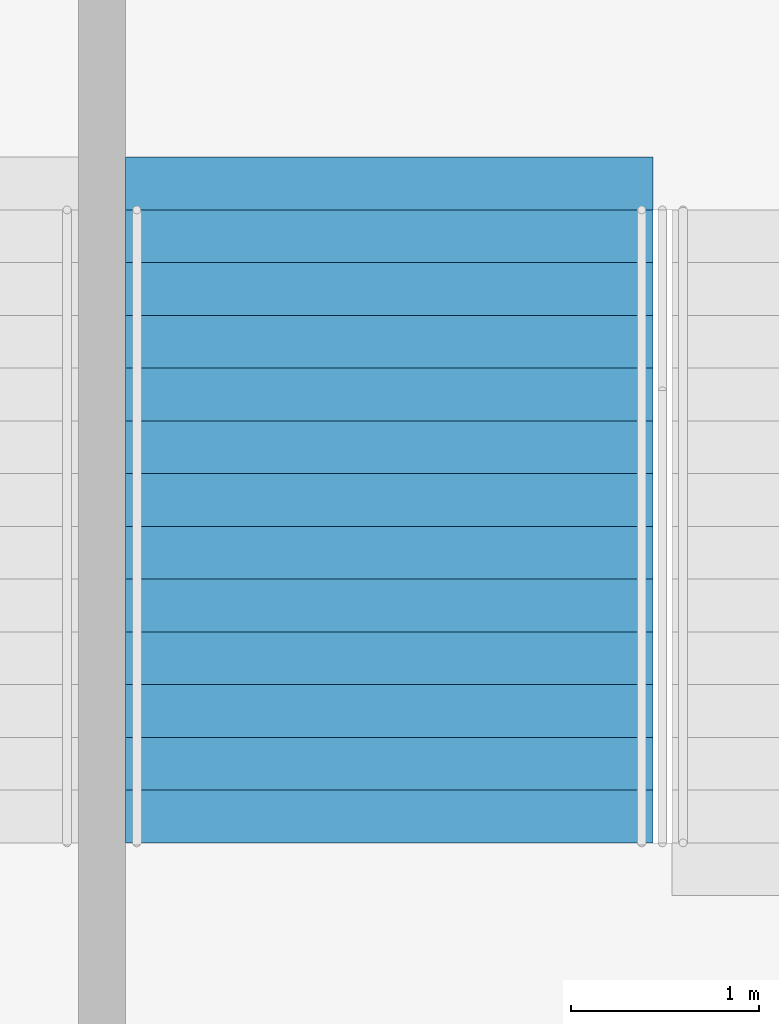
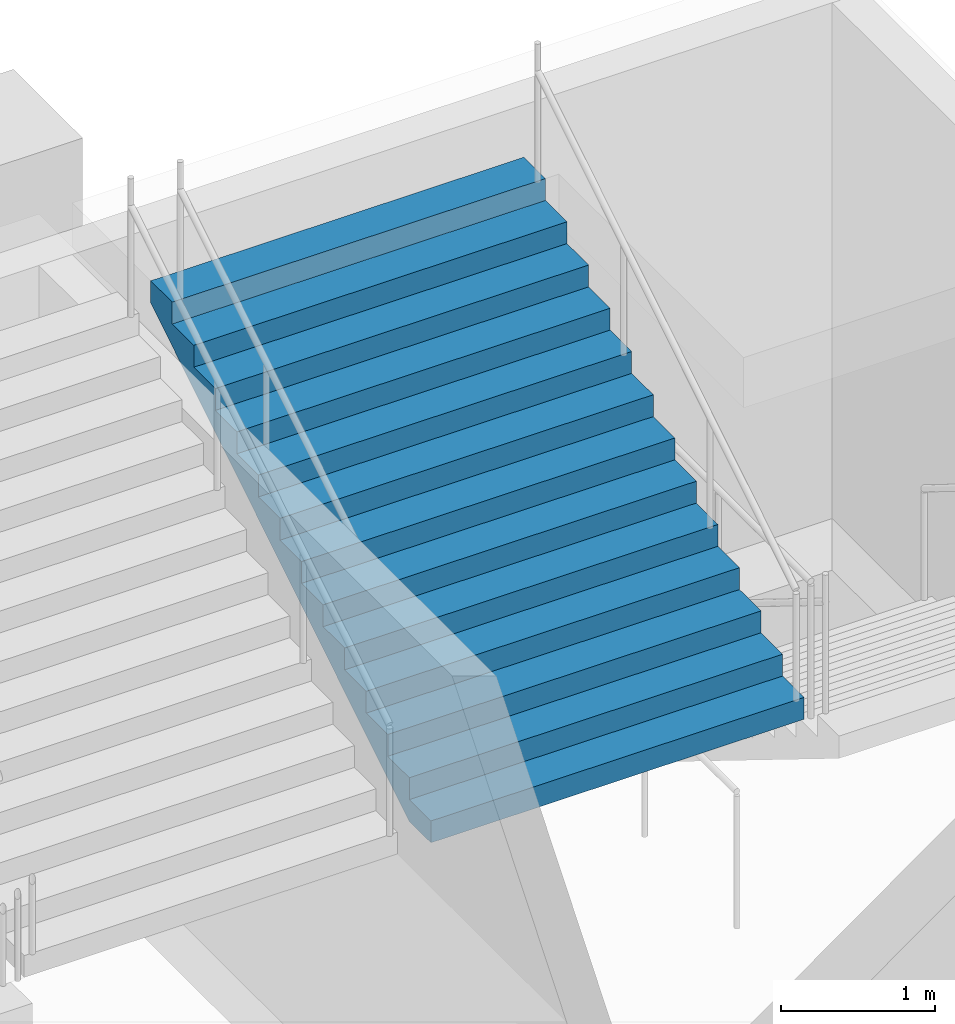
# One storey, part 96 of 177: 1 stair flight, 1 element without a shape of its own.
"""IFC4 building model written with IfcOpenShell, lengths in metres."""

from ifc_helpers import new_model, si_unit, direction, frame, origin, place, context, subcontext, project, spatial, faceted_brep, material, type_object, element, aggregate, save


model = new_model("IFC4")

# Units and contexts
model_context = context("Model", 3, precision=1e-05, world=origin(), true_north=direction((0.0, 1.0)))
body_context = subcontext(model_context, "Body", "Model", "MODEL_VIEW")
ifc_project = project(units=[si_unit("LENGTHUNIT", "METRE"), si_unit("AREAUNIT", "SQUARE_METRE"), si_unit("VOLUMEUNIT", "CUBIC_METRE"), si_unit("PLANEANGLEUNIT", "RADIAN"), si_unit("MASSUNIT", "GRAM", prefix="KILO")], contexts=[model_context])

# Site, building, storey
site_placement = place(None, origin())
site = spatial("IfcSite", under=ifc_project, at=site_placement, CompositionType="ELEMENT")
building_placement = place(site_placement, origin())
building = spatial("IfcBuilding", under=site, at=building_placement, Name="Ogive Plaza Stadium", CompositionType="ELEMENT")
storey_placement = place(building_placement, frame((0.0, 0.0, 18.0)))
storey = spatial("IfcBuildingStorey", under=building, at=storey_placement, Name="L04", CompositionType="ELEMENT", Elevation=18.0)

# Stair, stair flight
ifc_material_1 = material(Name="Concrete C40/50", Category="concrete")
stair_type = type_object("IfcStairType", Name="Exit stair", PredefinedType="STRAIGHT_RUN_STAIR", material=ifc_material_1)
stair_placement = place(storey_placement, origin())
stair = element("IfcStair", 1, at=stair_placement, inside=storey, type_object=stair_type, Name="Exit stair ST16B L04 to L05", PredefinedType="STRAIGHT_RUN_STAIR")
ifc_material_2 = material(Name="Concrete C40/50", Category="concrete")
stair_flight_type = type_object("IfcStairFlightType", Name="Exit stair flight", PredefinedType="STRAIGHT", material=ifc_material_2)
stair_flight_placement = place(storey_placement, frame((-18.875, -98.2099609375, 2.25), z_axis=(0.0, 0.0, 1.0), x_axis=(0.0, 1.0, 0.0)))
stair_flight = element("IfcStairFlight", 2, at=stair_flight_placement, type_object=stair_flight_type, Name="ST16B flight 2", NumberOfRisers=13, NumberOfTreads=12, PredefinedType="STRAIGHT", RiserHeight=0.173076923, TreadLength=0.28, context=body_context, shape_type="Brep", body=[
    faceted_brep([(0.28515625, -1.39990234375, 0.0), (3.639892578125, -1.39990234375, 2.07373046875), (3.639892578125, -1.39990234375, 2.25), (3.360107421875, -1.39990234375, 2.25), (3.360107421875, -1.39990234375, 2.076904296875), (3.080078125, -1.39990234375, 2.076904296875), (3.080078125, -1.39990234375, 1.90380859375), (2.800048828125, -1.39990234375, 1.90380859375), (2.800048828125, -1.39990234375, 1.730712890625), (2.52001953125, -1.39990234375, 1.730712890625), (2.52001953125, -1.39990234375, 1.5576171875), (2.239990234375, -1.39990234375, 1.5576171875), (2.239990234375, -1.39990234375, 1.384521484375), (1.9599609375, -1.39990234375, 1.384521484375), (1.9599609375, -1.39990234375, 1.21142578125), (1.679931640625, -1.39990234375, 1.21142578125), (1.679931640625, -1.39990234375, 1.03857421875), (1.39990234375, -1.39990234375, 1.03857421875), (1.39990234375, -1.39990234375, 0.865478515625), (1.1201171875, -1.39990234375, 0.865478515625), (1.1201171875, -1.39990234375, 0.6923828125), (0.840087890625, -1.39990234375, 0.6923828125), (0.840087890625, -1.39990234375, 0.519287109375), (0.56005859375, -1.39990234375, 0.519287109375), (0.56005859375, -1.39990234375, 0.34619140625), (0.280029296875, -1.39990234375, 0.34619140625), (0.280029296875, -1.39990234375, 0.173095703125), (0.0, -1.39990234375, 0.173095703125), (0.0, -1.39990234375, 0.0), (0.0, 1.39990234375, 0.0), (0.0, 1.39990234375, 0.173095703125), (0.280029296875, 1.39990234375, 0.173095703125), (0.280029296875, 1.39990234375, 0.34619140625), (0.56005859375, 1.39990234375, 0.34619140625), (0.56005859375, 1.39990234375, 0.519287109375), (0.840087890625, 1.39990234375, 0.519287109375), (0.840087890625, 1.39990234375, 0.6923828125), (1.1201171875, 1.39990234375, 0.6923828125), (1.1201171875, 1.39990234375, 0.865478515625), (1.39990234375, 1.39990234375, 0.865478515625), (1.39990234375, 1.39990234375, 1.03857421875), (1.679931640625, 1.39990234375, 1.03857421875), (1.679931640625, 1.39990234375, 1.21142578125), (1.9599609375, 1.39990234375, 1.21142578125), (1.9599609375, 1.39990234375, 1.384521484375), (2.239990234375, 1.39990234375, 1.384521484375), (2.239990234375, 1.39990234375, 1.5576171875), (2.52001953125, 1.39990234375, 1.5576171875), (2.52001953125, 1.39990234375, 1.730712890625), (2.800048828125, 1.39990234375, 1.730712890625), (2.800048828125, 1.39990234375, 1.90380859375), (3.080078125, 1.39990234375, 1.90380859375), (3.080078125, 1.39990234375, 2.076904296875), (3.360107421875, 1.39990234375, 2.076904296875), (3.360107421875, 1.39990234375, 2.25), (3.639892578125, 1.39990234375, 2.25), (3.639892578125, 1.39990234375, 2.07373046875), (0.28515625, 1.39990234375, 0.0), (0.28515625, -1.0888671875, 0.0), (3.639892578125, -1.0888671875, 2.07373046875), (0.28515625, -0.77783203125, 0.0), (3.639892578125, -0.77783203125, 2.07373046875), (0.28515625, -0.466796875, 0.0), (3.639892578125, -0.466796875, 2.07373046875), (0.28515625, -0.155517578125, 0.0), (3.639892578125, -0.155517578125, 2.07373046875), (0.28515625, 0.155517578125, 0.0), (3.639892578125, 0.155517578125, 2.07373046875), (0.28515625, 0.466796875, 0.0), (3.639892578125, 0.466796875, 2.07373046875), (0.28515625, 0.77783203125, 0.0), (3.639892578125, 0.77783203125, 2.07373046875), (0.28515625, 1.0888671875, 0.0), (3.639892578125, 1.0888671875, 2.07373046875), (3.639892578125, -1.0888671875, 2.25), (3.639892578125, -0.77783203125, 2.25), (3.639892578125, -0.466796875, 2.25), (3.639892578125, -0.155517578125, 2.25), (3.639892578125, 0.155517578125, 2.25), (3.639892578125, 0.466796875, 2.25), (3.639892578125, 0.77783203125, 2.25), (3.639892578125, 1.0888671875, 2.25), (3.360107421875, -1.0888671875, 2.25), (3.360107421875, -0.77783203125, 2.25), (3.360107421875, -0.466796875, 2.25), (3.360107421875, -0.155517578125, 2.25), (3.360107421875, 0.155517578125, 2.25), (3.360107421875, 0.466796875, 2.25), (3.360107421875, 0.77783203125, 2.25), (3.360107421875, 1.0888671875, 2.25), (3.360107421875, -1.0888671875, 2.076904296875), (3.360107421875, -0.77783203125, 2.076904296875), (3.360107421875, -0.466796875, 2.076904296875), (3.360107421875, -0.155517578125, 2.076904296875), (3.360107421875, 0.155517578125, 2.076904296875), (3.360107421875, 0.466796875, 2.076904296875), (3.360107421875, 0.77783203125, 2.076904296875), (3.360107421875, 1.0888671875, 2.076904296875), (3.080078125, -1.0888671875, 2.076904296875), (3.080078125, -0.77783203125, 2.076904296875), (3.080078125, -0.466796875, 2.076904296875), (3.080078125, -0.155517578125, 2.076904296875), (3.080078125, 0.155517578125, 2.076904296875), (3.080078125, 0.466796875, 2.076904296875), (3.080078125, 0.77783203125, 2.076904296875), (3.080078125, 1.0888671875, 2.076904296875), (3.080078125, -1.0888671875, 1.90380859375), (3.080078125, -0.77783203125, 1.90380859375), (3.080078125, -0.466796875, 1.90380859375), (3.080078125, -0.155517578125, 1.90380859375), (3.080078125, 0.155517578125, 1.90380859375), (3.080078125, 0.466796875, 1.90380859375), (3.080078125, 0.77783203125, 1.90380859375), (3.080078125, 1.0888671875, 1.90380859375), (2.800048828125, -1.0888671875, 1.90380859375), (2.800048828125, -0.77783203125, 1.90380859375), (2.800048828125, -0.466796875, 1.90380859375), (2.800048828125, -0.155517578125, 1.90380859375), (2.800048828125, 0.155517578125, 1.90380859375), (2.800048828125, 0.466796875, 1.90380859375), (2.800048828125, 0.77783203125, 1.90380859375), (2.800048828125, 1.0888671875, 1.90380859375), (2.800048828125, -1.0888671875, 1.730712890625), (2.800048828125, -0.77783203125, 1.730712890625), (2.800048828125, -0.466796875, 1.730712890625), (2.800048828125, -0.155517578125, 1.730712890625), (2.800048828125, 0.155517578125, 1.730712890625), (2.800048828125, 0.466796875, 1.730712890625), (2.800048828125, 0.77783203125, 1.730712890625), (2.800048828125, 1.0888671875, 1.730712890625), (2.52001953125, -1.0888671875, 1.730712890625), (2.52001953125, -0.77783203125, 1.730712890625), (2.52001953125, -0.466796875, 1.730712890625), (2.52001953125, -0.155517578125, 1.730712890625), (2.52001953125, 0.155517578125, 1.730712890625), (2.52001953125, 0.466796875, 1.730712890625), (2.52001953125, 0.77783203125, 1.730712890625), (2.52001953125, 1.0888671875, 1.730712890625), (2.52001953125, -1.0888671875, 1.5576171875), (2.52001953125, -0.77783203125, 1.5576171875), (2.52001953125, -0.466796875, 1.5576171875), (2.52001953125, -0.155517578125, 1.5576171875), (2.52001953125, 0.155517578125, 1.5576171875), (2.52001953125, 0.466796875, 1.5576171875), (2.52001953125, 0.77783203125, 1.5576171875), (2.52001953125, 1.0888671875, 1.5576171875), (2.239990234375, -1.0888671875, 1.5576171875), (2.239990234375, -0.77783203125, 1.5576171875), (2.239990234375, -0.466796875, 1.5576171875), (2.239990234375, -0.155517578125, 1.5576171875), (2.239990234375, 0.155517578125, 1.5576171875), (2.239990234375, 0.466796875, 1.5576171875), (2.239990234375, 0.77783203125, 1.5576171875), (2.239990234375, 1.0888671875, 1.5576171875), (2.239990234375, -1.0888671875, 1.384521484375), (2.239990234375, -0.77783203125, 1.384521484375), (2.239990234375, -0.466796875, 1.384521484375), (2.239990234375, -0.155517578125, 1.384521484375), (2.239990234375, 0.155517578125, 1.384521484375), (2.239990234375, 0.466796875, 1.384521484375), (2.239990234375, 0.77783203125, 1.384521484375), (2.239990234375, 1.0888671875, 1.384521484375), (1.9599609375, -1.0888671875, 1.384521484375), (1.9599609375, -0.77783203125, 1.384521484375), (1.9599609375, -0.466796875, 1.384521484375), (1.9599609375, -0.155517578125, 1.384521484375), (1.9599609375, 0.155517578125, 1.384521484375), (1.9599609375, 0.466796875, 1.384521484375), (1.9599609375, 0.77783203125, 1.384521484375), (1.9599609375, 1.0888671875, 1.384521484375), (1.9599609375, -1.0888671875, 1.21142578125), (1.9599609375, -0.77783203125, 1.21142578125), (1.9599609375, -0.466796875, 1.21142578125), (1.9599609375, -0.155517578125, 1.21142578125), (1.9599609375, 0.155517578125, 1.21142578125), (1.9599609375, 0.466796875, 1.21142578125), (1.9599609375, 0.77783203125, 1.21142578125), (1.9599609375, 1.0888671875, 1.21142578125), (1.679931640625, -1.0888671875, 1.21142578125), (1.679931640625, -0.77783203125, 1.21142578125), (1.679931640625, -0.466796875, 1.21142578125), (1.679931640625, -0.155517578125, 1.21142578125), (1.679931640625, 0.155517578125, 1.21142578125), (1.679931640625, 0.466796875, 1.21142578125), (1.679931640625, 0.77783203125, 1.21142578125), (1.679931640625, 1.0888671875, 1.21142578125), (1.679931640625, -1.0888671875, 1.03857421875), (1.679931640625, -0.77783203125, 1.03857421875), (1.679931640625, -0.466796875, 1.03857421875), (1.679931640625, -0.155517578125, 1.03857421875), (1.679931640625, 0.155517578125, 1.03857421875), (1.679931640625, 0.466796875, 1.03857421875), (1.679931640625, 0.77783203125, 1.03857421875), (1.679931640625, 1.0888671875, 1.03857421875), (1.39990234375, -1.0888671875, 1.03857421875), (1.39990234375, -0.77783203125, 1.03857421875), (1.39990234375, -0.466796875, 1.03857421875), (1.39990234375, -0.155517578125, 1.03857421875), (1.39990234375, 0.155517578125, 1.03857421875), (1.39990234375, 0.466796875, 1.03857421875), (1.39990234375, 0.77783203125, 1.03857421875), (1.39990234375, 1.0888671875, 1.03857421875), (1.39990234375, -1.0888671875, 0.865478515625), (1.39990234375, -0.77783203125, 0.865478515625), (1.39990234375, -0.466796875, 0.865478515625), (1.39990234375, -0.155517578125, 0.865478515625), (1.39990234375, 0.155517578125, 0.865478515625), (1.39990234375, 0.466796875, 0.865478515625), (1.39990234375, 0.77783203125, 0.865478515625), (1.39990234375, 1.0888671875, 0.865478515625), (1.1201171875, -1.0888671875, 0.865478515625), (1.1201171875, -0.77783203125, 0.865478515625), (1.1201171875, -0.466796875, 0.865478515625), (1.1201171875, -0.155517578125, 0.865478515625), (1.1201171875, 0.155517578125, 0.865478515625), (1.1201171875, 0.466796875, 0.865478515625), (1.1201171875, 0.77783203125, 0.865478515625), (1.1201171875, 1.0888671875, 0.865478515625), (1.1201171875, -1.0888671875, 0.6923828125), (1.1201171875, -0.77783203125, 0.6923828125), (1.1201171875, -0.466796875, 0.6923828125), (1.1201171875, -0.155517578125, 0.6923828125), (1.1201171875, 0.155517578125, 0.6923828125), (1.1201171875, 0.466796875, 0.6923828125), (1.1201171875, 0.77783203125, 0.6923828125), (1.1201171875, 1.0888671875, 0.6923828125), (0.840087890625, -1.0888671875, 0.6923828125), (0.840087890625, -0.77783203125, 0.6923828125), (0.840087890625, -0.466796875, 0.6923828125), (0.840087890625, -0.155517578125, 0.6923828125), (0.840087890625, 0.155517578125, 0.6923828125), (0.840087890625, 0.466796875, 0.6923828125), (0.840087890625, 0.77783203125, 0.6923828125), (0.840087890625, 1.0888671875, 0.6923828125), (0.840087890625, -1.0888671875, 0.519287109375), (0.840087890625, -0.77783203125, 0.519287109375), (0.840087890625, -0.466796875, 0.519287109375), (0.840087890625, -0.155517578125, 0.519287109375), (0.840087890625, 0.155517578125, 0.519287109375), (0.840087890625, 0.466796875, 0.519287109375), (0.840087890625, 0.77783203125, 0.519287109375), (0.840087890625, 1.0888671875, 0.519287109375), (0.56005859375, -1.0888671875, 0.519287109375), (0.56005859375, -0.77783203125, 0.519287109375), (0.56005859375, -0.466796875, 0.519287109375), (0.56005859375, -0.155517578125, 0.519287109375), (0.56005859375, 0.155517578125, 0.519287109375), (0.56005859375, 0.466796875, 0.519287109375), (0.56005859375, 0.77783203125, 0.519287109375), (0.56005859375, 1.0888671875, 0.519287109375), (0.56005859375, -1.0888671875, 0.34619140625), (0.56005859375, -0.77783203125, 0.34619140625), (0.56005859375, -0.466796875, 0.34619140625), (0.56005859375, -0.155517578125, 0.34619140625), (0.56005859375, 0.155517578125, 0.34619140625), (0.56005859375, 0.466796875, 0.34619140625), (0.56005859375, 0.77783203125, 0.34619140625), (0.56005859375, 1.0888671875, 0.34619140625), (0.280029296875, -1.0888671875, 0.34619140625), (0.280029296875, -0.77783203125, 0.34619140625), (0.280029296875, -0.466796875, 0.34619140625), (0.280029296875, -0.155517578125, 0.34619140625), (0.280029296875, 0.155517578125, 0.34619140625), (0.280029296875, 0.466796875, 0.34619140625), (0.280029296875, 0.77783203125, 0.34619140625), (0.280029296875, 1.0888671875, 0.34619140625), (0.280029296875, -1.0888671875, 0.173095703125), (0.280029296875, -0.77783203125, 0.173095703125), (0.280029296875, -0.466796875, 0.173095703125), (0.280029296875, -0.155517578125, 0.173095703125), (0.280029296875, 0.155517578125, 0.173095703125), (0.280029296875, 0.466796875, 0.173095703125), (0.280029296875, 0.77783203125, 0.173095703125), (0.280029296875, 1.0888671875, 0.173095703125), (0.0, -1.0888671875, 0.173095703125), (0.0, -0.77783203125, 0.173095703125), (0.0, -0.466796875, 0.173095703125), (0.0, -0.155517578125, 0.173095703125), (0.0, 0.155517578125, 0.173095703125), (0.0, 0.466796875, 0.173095703125), (0.0, 0.77783203125, 0.173095703125), (0.0, 1.0888671875, 0.173095703125), (0.0, -1.0888671875, 0.0), (0.0, -0.77783203125, 0.0), (0.0, -0.466796875, 0.0), (0.0, -0.155517578125, 0.0), (0.0, 0.155517578125, 0.0), (0.0, 0.466796875, 0.0), (0.0, 0.77783203125, 0.0), (0.0, 1.0888671875, 0.0)], [[[0, 1, 2, 3, 4, 5, 6, 7, 8, 9, 10, 11, 12, 13, 14, 15, 16, 17, 18, 19, 20, 21, 22, 23, 24, 25, 26, 27, 28]], [[29, 30, 31, 32, 33, 34, 35, 36, 37, 38, 39, 40, 41, 42, 43, 44, 45, 46, 47, 48, 49, 50, 51, 52, 53, 54, 55, 56, 57]], [[0, 58, 59, 1]], [[58, 60, 61, 59]], [[60, 62, 63, 61]], [[62, 64, 65, 63]], [[64, 66, 67, 65]], [[66, 68, 69, 67]], [[68, 70, 71, 69]], [[70, 72, 73, 71]], [[72, 57, 56, 73]], [[1, 59, 74, 2]], [[59, 61, 75, 74]], [[61, 63, 76, 75]], [[63, 65, 77, 76]], [[65, 67, 78, 77]], [[67, 69, 79, 78]], [[69, 71, 80, 79]], [[71, 73, 81, 80]], [[73, 56, 55, 81]], [[2, 74, 82, 3]], [[74, 75, 83, 82]], [[75, 76, 84, 83]], [[76, 77, 85, 84]], [[77, 78, 86, 85]], [[78, 79, 87, 86]], [[79, 80, 88, 87]], [[80, 81, 89, 88]], [[81, 55, 54, 89]], [[3, 82, 90, 4]], [[82, 83, 91, 90]], [[83, 84, 92, 91]], [[84, 85, 93, 92]], [[85, 86, 94, 93]], [[86, 87, 95, 94]], [[87, 88, 96, 95]], [[88, 89, 97, 96]], [[89, 54, 53, 97]], [[4, 90, 98, 5]], [[90, 91, 99, 98]], [[91, 92, 100, 99]], [[92, 93, 101, 100]], [[93, 94, 102, 101]], [[94, 95, 103, 102]], [[95, 96, 104, 103]], [[96, 97, 105, 104]], [[97, 53, 52, 105]], [[5, 98, 106, 6]], [[98, 99, 107, 106]], [[99, 100, 108, 107]], [[100, 101, 109, 108]], [[101, 102, 110, 109]], [[102, 103, 111, 110]], [[103, 104, 112, 111]], [[104, 105, 113, 112]], [[105, 52, 51, 113]], [[6, 106, 114, 7]], [[106, 107, 115, 114]], [[107, 108, 116, 115]], [[108, 109, 117, 116]], [[109, 110, 118, 117]], [[110, 111, 119, 118]], [[111, 112, 120, 119]], [[112, 113, 121, 120]], [[113, 51, 50, 121]], [[7, 114, 122, 8]], [[114, 115, 123, 122]], [[115, 116, 124, 123]], [[116, 117, 125, 124]], [[117, 118, 126, 125]], [[118, 119, 127, 126]], [[119, 120, 128, 127]], [[120, 121, 129, 128]], [[121, 50, 49, 129]], [[8, 122, 130, 9]], [[122, 123, 131, 130]], [[123, 124, 132, 131]], [[124, 125, 133, 132]], [[125, 126, 134, 133]], [[126, 127, 135, 134]], [[127, 128, 136, 135]], [[128, 129, 137, 136]], [[129, 49, 48, 137]], [[9, 130, 138, 10]], [[130, 131, 139, 138]], [[131, 132, 140, 139]], [[132, 133, 141, 140]], [[133, 134, 142, 141]], [[134, 135, 143, 142]], [[135, 136, 144, 143]], [[136, 137, 145, 144]], [[137, 48, 47, 145]], [[10, 138, 146, 11]], [[138, 139, 147, 146]], [[139, 140, 148, 147]], [[140, 141, 149, 148]], [[141, 142, 150, 149]], [[142, 143, 151, 150]], [[143, 144, 152, 151]], [[144, 145, 153, 152]], [[145, 47, 46, 153]], [[11, 146, 154, 12]], [[146, 147, 155, 154]], [[147, 148, 156, 155]], [[148, 149, 157, 156]], [[149, 150, 158, 157]], [[150, 151, 159, 158]], [[151, 152, 160, 159]], [[152, 153, 161, 160]], [[153, 46, 45, 161]], [[12, 154, 162, 13]], [[154, 155, 163, 162]], [[155, 156, 164, 163]], [[156, 157, 165, 164]], [[157, 158, 166, 165]], [[158, 159, 167, 166]], [[159, 160, 168, 167]], [[160, 161, 169, 168]], [[161, 45, 44, 169]], [[13, 162, 170, 14]], [[162, 163, 171, 170]], [[163, 164, 172, 171]], [[164, 165, 173, 172]], [[165, 166, 174, 173]], [[166, 167, 175, 174]], [[167, 168, 176, 175]], [[168, 169, 177, 176]], [[169, 44, 43, 177]], [[14, 170, 178, 15]], [[170, 171, 179, 178]], [[171, 172, 180, 179]], [[172, 173, 181, 180]], [[173, 174, 182, 181]], [[174, 175, 183, 182]], [[175, 176, 184, 183]], [[176, 177, 185, 184]], [[177, 43, 42, 185]], [[15, 178, 186, 16]], [[178, 179, 187, 186]], [[179, 180, 188, 187]], [[180, 181, 189, 188]], [[181, 182, 190, 189]], [[182, 183, 191, 190]], [[183, 184, 192, 191]], [[184, 185, 193, 192]], [[185, 42, 41, 193]], [[16, 186, 194, 17]], [[186, 187, 195, 194]], [[187, 188, 196, 195]], [[188, 189, 197, 196]], [[189, 190, 198, 197]], [[190, 191, 199, 198]], [[191, 192, 200, 199]], [[192, 193, 201, 200]], [[193, 41, 40, 201]], [[17, 194, 202, 18]], [[194, 195, 203, 202]], [[195, 196, 204, 203]], [[196, 197, 205, 204]], [[197, 198, 206, 205]], [[198, 199, 207, 206]], [[199, 200, 208, 207]], [[200, 201, 209, 208]], [[201, 40, 39, 209]], [[18, 202, 210, 19]], [[202, 203, 211, 210]], [[203, 204, 212, 211]], [[204, 205, 213, 212]], [[205, 206, 214, 213]], [[206, 207, 215, 214]], [[207, 208, 216, 215]], [[208, 209, 217, 216]], [[209, 39, 38, 217]], [[19, 210, 218, 20]], [[210, 211, 219, 218]], [[211, 212, 220, 219]], [[212, 213, 221, 220]], [[213, 214, 222, 221]], [[214, 215, 223, 222]], [[215, 216, 224, 223]], [[216, 217, 225, 224]], [[217, 38, 37, 225]], [[20, 218, 226, 21]], [[218, 219, 227, 226]], [[219, 220, 228, 227]], [[220, 221, 229, 228]], [[221, 222, 230, 229]], [[222, 223, 231, 230]], [[223, 224, 232, 231]], [[224, 225, 233, 232]], [[225, 37, 36, 233]], [[21, 226, 234, 22]], [[226, 227, 235, 234]], [[227, 228, 236, 235]], [[228, 229, 237, 236]], [[229, 230, 238, 237]], [[230, 231, 239, 238]], [[231, 232, 240, 239]], [[232, 233, 241, 240]], [[233, 36, 35, 241]], [[22, 234, 242, 23]], [[234, 235, 243, 242]], [[235, 236, 244, 243]], [[236, 237, 245, 244]], [[237, 238, 246, 245]], [[238, 239, 247, 246]], [[239, 240, 248, 247]], [[240, 241, 249, 248]], [[241, 35, 34, 249]], [[23, 242, 250, 24]], [[242, 243, 251, 250]], [[243, 244, 252, 251]], [[244, 245, 253, 252]], [[245, 246, 254, 253]], [[246, 247, 255, 254]], [[247, 248, 256, 255]], [[248, 249, 257, 256]], [[249, 34, 33, 257]], [[24, 250, 258, 25]], [[250, 251, 259, 258]], [[251, 252, 260, 259]], [[252, 253, 261, 260]], [[253, 254, 262, 261]], [[254, 255, 263, 262]], [[255, 256, 264, 263]], [[256, 257, 265, 264]], [[257, 33, 32, 265]], [[25, 258, 266, 26]], [[258, 259, 267, 266]], [[259, 260, 268, 267]], [[260, 261, 269, 268]], [[261, 262, 270, 269]], [[262, 263, 271, 270]], [[263, 264, 272, 271]], [[264, 265, 273, 272]], [[265, 32, 31, 273]], [[26, 266, 274, 27]], [[266, 267, 275, 274]], [[267, 268, 276, 275]], [[268, 269, 277, 276]], [[269, 270, 278, 277]], [[270, 271, 279, 278]], [[271, 272, 280, 279]], [[272, 273, 281, 280]], [[273, 31, 30, 281]], [[27, 274, 282, 28]], [[274, 275, 283, 282]], [[275, 276, 284, 283]], [[276, 277, 285, 284]], [[277, 278, 286, 285]], [[278, 279, 287, 286]], [[279, 280, 288, 287]], [[280, 281, 289, 288]], [[281, 30, 29, 289]], [[28, 282, 58, 0]], [[282, 283, 60, 58]], [[283, 284, 62, 60]], [[284, 285, 64, 62]], [[285, 286, 66, 64]], [[286, 287, 68, 66]], [[287, 288, 70, 68]], [[288, 289, 72, 70]], [[289, 29, 57, 72]]]),
])
aggregate(stair, [stair_flight])

save(model, "model.ifc")
